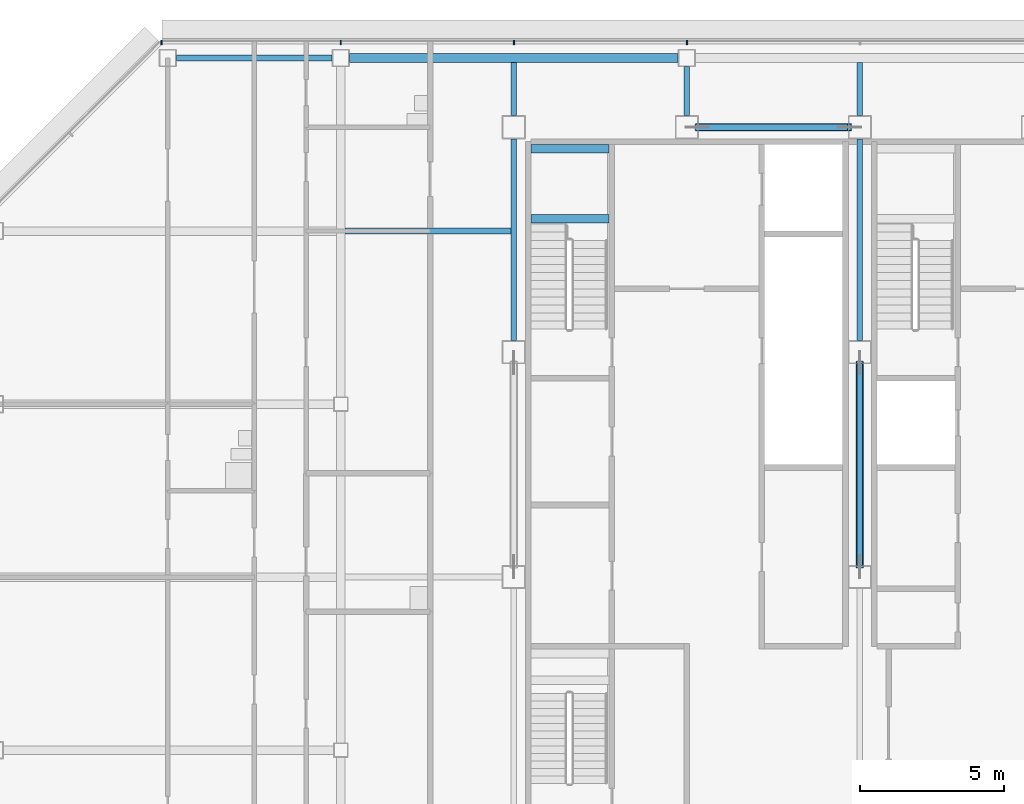
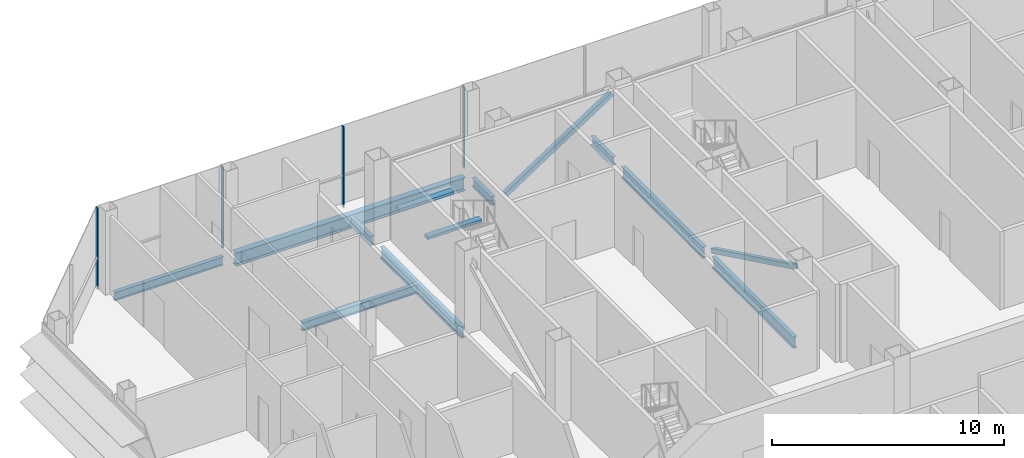
# One storey, part 13 of 29: 11 beams, 6 members, 1 element without a shape of its own.
"""IFC4 building model written with IfcOpenShell, lengths in metres."""

import ifcopenshell
import ifcopenshell.guid

model = None  # the IFC model being written
_history = None  # IfcOwnerHistory: only IFC2X3 demands one
_inside = {}  # id of a spatial element -> (the spatial element, [elements in it])
_under = {}  # id of a project, library or spatial element -> (it, [spatial elements below it])
_declared = {}  # id of a project -> (the project, [libraries it declares])
_typed = {}  # id of a type object -> (the type object, [elements of that type])
_made_of = {}  # id of a material, layer set ... -> (it, [elements and type objects made of it])


def new_model(schema):
    """Start an empty IFC model of exactly this schema.

    Asked for "IFC4X3", IfcOpenShell would pick the latest addendum, in which some entities
    have other attributes; the version numbers below select the first issue.
    IFC2X3 requires an IfcOwnerHistory on every rooted entity: one is made here for all.
    """
    global model, _history
    if schema == "IFC4X3":
        model = ifcopenshell.file(schema_version=(4, 3, 0, 0))
    else:
        model = ifcopenshell.file(schema=schema)
    _inside.clear()
    _under.clear()
    _declared.clear()
    _typed.clear()
    _made_of.clear()
    _history = None
    if model.schema == "IFC2X3":
        org = make("IfcOrganization", Name="unknown")
        user = make(
            "IfcPersonAndOrganization",
            ThePerson=make("IfcPerson", FamilyName="unknown"),
            TheOrganization=org,
        )
        app = make(
            "IfcApplication",
            ApplicationDeveloper=org,
            Version="unknown",
            ApplicationFullName="unknown",
            ApplicationIdentifier="unknown",
        )
        _history = make(
            "IfcOwnerHistory",
            OwningUser=user,
            OwningApplication=app,
            ChangeAction="ADDED",
            CreationDate=0,
        )
    return model


def make(cls, **values):
    """One entity of the class cls with the attributes given. An attribute that is None is left unset."""
    return model.create_entity(
        cls, **{name: value for name, value in values.items() if value is not None}
    )


def rooted(cls, **values):
    """An entity with a GlobalId (a new one), such as an element, a storey or a relation."""
    return make(cls, GlobalId=ifcopenshell.guid.new(), OwnerHistory=_history, **values)


def si_unit(unit_type, name, prefix=None):
    """IfcSIUnit, for example si_unit("LENGTHUNIT", "METRE", prefix="MILLI")."""
    return make("IfcSIUnit", UnitType=unit_type, Prefix=prefix, Name=name)


def assignment(units):
    """IfcUnitAssignment: the units of a project."""
    return None if units is None else make("IfcUnitAssignment", Units=units)


def point(xyz):
    """IfcCartesianPoint."""
    return None if xyz is None else make("IfcCartesianPoint", Coordinates=xyz)


def direction(xyz):
    """IfcDirection."""
    return None if xyz is None else make("IfcDirection", DirectionRatios=xyz)


def frame(location, z_axis=None, x_axis=None):
    """IfcAxis2Placement3D, a coordinate frame: its origin and axes. An axis left out is left unset."""
    return make(
        "IfcAxis2Placement3D",
        Location=point(location),
        Axis=direction(z_axis),
        RefDirection=direction(x_axis),
    )


def frame_2d(location, x_axis=None):
    """IfcAxis2Placement2D, a coordinate frame in the plane: its origin and x axis."""
    return make(
        "IfcAxis2Placement2D", Location=point(location), RefDirection=direction(x_axis)
    )


def origin():
    """The frame at (0, 0, 0) with its axes left unset."""
    return frame((0.0, 0.0, 0.0))


def origin_2d():
    """The frame at (0, 0) in the plane with its x axis left unset."""
    return frame_2d((0.0, 0.0))


def place(relative_to, where):
    """IfcLocalPlacement: puts the frame where relative to a parent placement (None: the world)."""
    return make(
        "IfcLocalPlacement", PlacementRelTo=relative_to, RelativePlacement=where
    )


def context(
    kind, dimensions, precision=None, world=None, true_north=None, identifier=None
):
    """IfcGeometricRepresentationContext, for example the 3D "Model" context."""
    return make(
        "IfcGeometricRepresentationContext",
        ContextIdentifier=identifier,
        ContextType=kind,
        CoordinateSpaceDimension=dimensions,
        Precision=precision,
        WorldCoordinateSystem=world,
        TrueNorth=true_north,
    )


def subcontext(parent, identifier, kind, view, scale=None):
    """IfcGeometricRepresentationSubContext, for example "Body" below "Model"."""
    return make(
        "IfcGeometricRepresentationSubContext",
        ContextIdentifier=identifier,
        ContextType=kind,
        ParentContext=parent,
        TargetScale=scale,
        TargetView=view,
    )


def project(units=None, contexts=None):
    """IfcProject with its units and contexts."""
    return rooted(
        "IfcProject",
        Name="project",
        RepresentationContexts=contexts,
        UnitsInContext=assignment(units),
    )


def spatial(cls, under=None, at=None, **own):
    """A site, building, storey or space (cls), placed at a placement, below another one or the project."""
    s = rooted(cls, ObjectPlacement=at, **own)
    if under is not None:
        _under.setdefault(under.id(), (under, []))[1].append(s)
    return s


def profile(cls, at=None, kind="AREA", **sizes):
    """A parametric profile (cls). Its sizes go by their IFC names, for example OverallWidth=200.0."""
    return make(cls, ProfileType=kind, Position=at, **sizes)


def rectangle(**sizes):
    """IfcRectangleProfileDef."""
    return profile("IfcRectangleProfileDef", **sizes)


def hollow_rectangle(**sizes):
    """IfcRectangleHollowProfileDef."""
    return profile("IfcRectangleHollowProfileDef", **sizes)


def i_section(**sizes):
    """IfcIShapeProfileDef."""
    return profile("IfcIShapeProfileDef", **sizes)


def extrude(swept, where, along, depth):
    """IfcExtrudedAreaSolid: the profile swept, set in the frame where, extruded along a direction by depth."""
    return make(
        "IfcExtrudedAreaSolid",
        SweptArea=swept,
        Position=where,
        ExtrudedDirection=direction(along),
        Depth=depth,
    )


def shape(context_of_items, identifier, shape_type, items):
    """IfcShapeRepresentation: the items that make up one representation, for example the "Body"."""
    return make(
        "IfcShapeRepresentation",
        ContextOfItems=context_of_items,
        RepresentationIdentifier=identifier,
        RepresentationType=shape_type,
        Items=items,
    )


def material(Name=None, Category=None):
    """IfcMaterial."""
    return make("IfcMaterial", Name=Name, Category=Category)


def material_profile(
    of_material, cross_section, Name=None, Category=None, Priority=None
):
    """IfcMaterialProfile: a cross section and its material."""
    return make(
        "IfcMaterialProfile",
        Name=Name,
        Material=of_material,
        Profile=cross_section,
        Priority=Priority,
        Category=Category,
    )


def profile_set(profiles, Name=None, composite=None):
    """IfcMaterialProfileSet."""
    return make(
        "IfcMaterialProfileSet",
        Name=Name,
        MaterialProfiles=profiles,
        CompositeProfile=composite,
    )


def made_of(thing, what):
    """Note that an element or type object is made of a material, layer set ...; save() writes the relation."""
    if what is not None:
        _made_of.setdefault(what.id(), (what, []))[1].append(thing)
    return thing


def type_object(cls, material=None, **own):
    """A type object (cls), such as IfcWallType, which elements share."""
    return made_of(rooted(cls, **own), material)


def element(
    cls,
    number,
    at=None,
    inside=None,
    cuts=None,
    type_object=None,
    material=None,
    context=None,
    identifier="Body",
    shape_type=None,
    held_by="IfcProductDefinitionShape",
    body=None,
    shapes=None,
    **own,
):
    """One element of the class cls, such as IfcWall. Its Tag is "e" and its number.

    at: its placement. inside: the storey or other place that contains it. cuts: it is an
    opening in that element (IfcRelVoidsElement). A single representation is given by context,
    identifier, shape_type and body (its items); several are given by shapes. held_by: the class
    of the entity that holds the representations. save() writes the other relations.
    """
    e = rooted(cls, Tag="e%d" % number, ObjectPlacement=at, **own)
    if body is not None:
        shapes = [shape(context, identifier, shape_type, body)]
    if shapes is not None:
        e.Representation = make(held_by, Representations=shapes)
    if inside is not None:
        _inside.setdefault(inside.id(), (inside, []))[1].append(e)
    if cuts is not None:
        rooted(
            "IfcRelVoidsElement", RelatingBuildingElement=cuts, RelatedOpeningElement=e
        )
    if type_object is not None:
        _typed.setdefault(type_object.id(), (type_object, []))[1].append(e)
    return made_of(e, material)


def aggregate(whole, parts):
    """IfcRelAggregates: a whole, such as a stair, and the parts it consists of."""
    return rooted("IfcRelAggregates", RelatingObject=whole, RelatedObjects=parts)


def save(model, path):
    """Write the relations noted so far, then the file.

    IfcRelAggregates (storeys below a building ...), IfcRelContainedInSpatialStructure (elements
    in a storey), IfcRelDefinesByType, IfcRelAssociatesMaterial and IfcRelDeclares: one each for
    every whole, place, type object, material and project.
    """
    for whole, parts in _under.values():
        aggregate(whole, parts)
    for where, things in _inside.values():
        rooted(
            "IfcRelContainedInSpatialStructure",
            RelatedElements=things,
            RelatingStructure=where,
        )
    for kind, things in _typed.values():
        rooted("IfcRelDefinesByType", RelatedObjects=things, RelatingType=kind)
    for what, things in _made_of.values():
        rooted("IfcRelAssociatesMaterial", RelatedObjects=things, RelatingMaterial=what)
    for by, libraries in _declared.values():
        rooted("IfcRelDeclares", RelatingContext=by, RelatedDefinitions=libraries)
    model.write(path)


model = new_model("IFC4")

# Units and contexts
model_context = context("Model", 3, precision=1e-05, world=origin(), true_north=direction((0.0, 1.0)))
body_context = subcontext(model_context, "Body", "Model", "MODEL_VIEW")
ifc_project = project(units=[si_unit("LENGTHUNIT", "METRE"), si_unit("AREAUNIT", "SQUARE_METRE"), si_unit("VOLUMEUNIT", "CUBIC_METRE"), si_unit("PLANEANGLEUNIT", "RADIAN"), si_unit("MASSUNIT", "GRAM", prefix="KILO")], contexts=[model_context])

# Site, building, storey
site_placement = place(None, origin())
site = spatial("IfcSite", under=ifc_project, at=site_placement, CompositionType="ELEMENT")
building_placement = place(site_placement, origin())
building = spatial("IfcBuilding", under=site, at=building_placement, Name="Sorahane Residences", CompositionType="ELEMENT")
storey_placement = place(building_placement, frame((0.0, 0.0, 277.39990234375)))
storey = spatial("IfcBuildingStorey", under=building, at=storey_placement, Name="L66", CompositionType="ELEMENT", Elevation=277.39990234375)

# Members
ifc_material_1 = material(Name="Steel Q355B", Category="steel")
ifc_material_profile_1 = material_profile(ifc_material_1, hollow_rectangle(XDim=0.25, YDim=0.25, WallThickness=0.013916015625, InnerFilletRadius=0.007080078125, OuterFilletRadius=0.02099609375, at=origin_2d()), Name="RHS 250x250x14")
ifc_profile_set_1 = profile_set([ifc_material_profile_1], Name="Steel Q355B")
member_type_1 = type_object("IfcMemberType", Name="Core brace RHS 250x250x14 Q355B", PredefinedType="BRACE", material=ifc_profile_set_1)
member_1_placement = place(storey_placement, frame((12.35888671875, 45.60009765625, 0.09814453125), z_axis=(0.836962799145, 0.0, 0.54725978552), x_axis=(0.0, 1.0, 0.0)))
element("IfcMember", 1, at=member_1_placement, inside=storey, type_object=member_type_1, Name="Core brace L66 y45.6-2", PredefinedType="BRACE", context=body_context, shape_type="SweptSolid", body=[
    extrude(hollow_rectangle(XDim=0.25, YDim=0.25, WallThickness=0.013916015625, InnerFilletRadius=0.007080078125, OuterFilletRadius=0.02099609375, at=origin_2d()), origin(), (0.0, 0.0, 1.0), 6.311279296875),
])
member_2_placement = place(storey_placement, frame((18.0, 37.432861328125, 0.109130859375), z_axis=(0.0, -0.899508856558, 0.436902525712), x_axis=(1.0, 0.0, 0.0)))
element("IfcMember", 2, at=member_2_placement, inside=storey, type_object=member_type_1, Name="Core brace L66 x18-1", PredefinedType="BRACE", context=body_context, shape_type="SweptSolid", body=[
    extrude(hollow_rectangle(XDim=0.25, YDim=0.25, WallThickness=0.013916015625, InnerFilletRadius=0.007080078125, OuterFilletRadius=0.02099609375, at=origin_2d()), origin(), (0.0, 0.0, 1.0), 7.85498046875),
])

# Curtain wall, members
ifc_material_2 = material(Name="Dark low-e glass and black anodised aluminium", Category="aluminium")
curtain_wall_type = type_object("IfcCurtainWallType", Name="Curtain wall CW-1 Typical unitised wall", PredefinedType="NOTDEFINED", material=ifc_material_2)
curtain_wall_placement = place(storey_placement, origin())
curtain_wall = element("IfcCurtainWall", 3, at=curtain_wall_placement, inside=storey, type_object=curtain_wall_type, Name="CW-1 curtain wall L66 N1", PredefinedType="NOTDEFINED")
ifc_material_3 = material(Name="Black anodised aluminium", Category="aluminium")
ifc_material_profile_2 = material_profile(ifc_material_3, rectangle(XDim=0.159912109375, YDim=0.050048828125, at=origin_2d()), Name="Curtain wall mullion CW-1 black anodised aluminium 50x160")
ifc_profile_set_2 = profile_set([ifc_material_profile_2], Name="Black anodised aluminium")
member_type_2 = type_object("IfcMemberType", Name="Curtain wall mullion CW-1 black anodised aluminium 50x160", PredefinedType="MULLION", material=ifc_profile_set_2)
member_3_placement = place(storey_placement, frame((12.0, 48.5400390625, -0.179931640625), z_axis=(0.0, 0.0, 1.0), x_axis=(0.0, 1.0, 0.0)))
member_3 = element("IfcMember", 4, at=member_3_placement, type_object=member_type_2, Name="CW-1 mullion L66 N1.7", PredefinedType="MULLION", context=body_context, shape_type="SweptSolid", body=[
    extrude(rectangle(XDim=0.159912109375, YDim=0.050048828125, at=origin_2d()), origin(), (0.0, 0.0, 1.0), 4.280029296875),
])
member_4_placement = place(storey_placement, frame((6.0, 48.5400390625, -0.179931640625), z_axis=(0.0, 0.0, 1.0), x_axis=(0.0, 1.0, 0.0)))
member_4 = element("IfcMember", 5, at=member_4_placement, type_object=member_type_2, Name="CW-1 mullion L66 N1.8", PredefinedType="MULLION", context=body_context, shape_type="SweptSolid", body=[
    extrude(rectangle(XDim=0.159912109375, YDim=0.050048828125, at=origin_2d()), origin(), (0.0, 0.0, 1.0), 4.280029296875),
])
member_5_placement = place(storey_placement, frame((0.0, 48.5400390625, -0.179931640625), z_axis=(0.0, 0.0, 1.0), x_axis=(0.0, 1.0, 0.0)))
member_5 = element("IfcMember", 6, at=member_5_placement, type_object=member_type_2, Name="CW-1 mullion L66 N1.9", PredefinedType="MULLION", context=body_context, shape_type="SweptSolid", body=[
    extrude(rectangle(XDim=0.159912109375, YDim=0.050048828125, at=origin_2d()), origin(), (0.0, 0.0, 1.0), 4.280029296875),
])
member_6_placement = place(storey_placement, frame((-6.2236328125, 48.5400390625, -0.179931640625), z_axis=(0.0, 0.0, 1.0), x_axis=(0.0, 1.0, 0.0)))
member_6 = element("IfcMember", 7, at=member_6_placement, type_object=member_type_2, Name="CW-1 mullion L66 N1.10", PredefinedType="MULLION", context=body_context, shape_type="SweptSolid", body=[
    extrude(rectangle(XDim=0.159912109375, YDim=0.050048828125, at=origin_2d()), origin(), (0.0, 0.0, 1.0), 4.280029296875),
])
aggregate(curtain_wall, [member_3, member_4, member_5, member_6])

# Beams
ifc_material_4 = material(Name="Concrete C40", Category="concrete")
ifc_material_profile_3 = material_profile(ifc_material_4, rectangle(XDim=0.300048828125, YDim=0.139892578125, at=origin_2d()), Name="300x140")
ifc_profile_set_3 = profile_set([ifc_material_profile_3], Name="Concrete C40")
beam_type_1 = type_object("IfcBeamType", Name="RC landing beam 300 x 140 Concrete C40", PredefinedType="BEAM", material=ifc_profile_set_3)
for number, where, z_axis, x_axis, name in (
    (8, (6.60009765625, 42.429931640625, 1.760986328125), (1.0, 0.0, 0.0), (0.0, 1.0, 0.0), "Landing beam"),
    (9, (6.60009765625, 44.85009765625, 1.760986328125), (1.0, 0.0, 0.0), (0.0, 1.0, 0.0), "Landing beam"),
):
    element("IfcBeam", number, at=place(storey_placement, frame(where, z_axis=z_axis, x_axis=x_axis)), inside=storey, type_object=beam_type_1, Name=name, PredefinedType="BEAM", context=body_context, shape_type="SweptSolid", body=[
        extrude(rectangle(XDim=0.300048828125, YDim=0.139892578125, at=origin_2d()), origin(), (0.0, 0.0, 1.0), 2.699951171875),
    ])
ifc_material_5 = material(Name="Steel Q355B", Category="steel")
ifc_material_profile_4 = material_profile(ifc_material_5, i_section(OverallWidth=0.199951171875, OverallDepth=0.449951171875, WebThickness=0.009033203125, FlangeThickness=0.013916015625, FilletRadius=0.02001953125, at=origin_2d()), Name="HN 450x200x9x14")
ifc_profile_set_4 = profile_set([ifc_material_profile_4], Name="Steel Q355B")
beam_type_2 = type_object("IfcBeamType", Name="Steel floor beam HN 450x200x9x14 Q355B", PredefinedType="BEAM", material=ifc_profile_set_4)
beam_1_placement = place(storey_placement, frame((-5.699951171875, 48.0, -0.40478515625), z_axis=(1.0, 0.0, 0.0), x_axis=(0.0, 1.0, 0.0)))
element("IfcBeam", 10, at=beam_1_placement, inside=storey, type_object=beam_type_2, Name="Beam L66 015", PredefinedType="BEAM", context=body_context, shape_type="SweptSolid", body=[
    extrude(i_section(OverallWidth=0.199951171875, OverallDepth=0.449951171875, WebThickness=0.009033203125, FlangeThickness=0.013916015625, FilletRadius=0.02001953125, at=origin_2d()), origin(), (0.0, 0.0, 1.0), 5.39990234375),
])
beam_2_placement = place(storey_placement, frame((6.0, 46.0, -0.40478515625), z_axis=(0.0, 1.0, 0.0), x_axis=(-1.0, 0.0, 0.0)))
element("IfcBeam", 11, at=beam_2_placement, inside=storey, type_object=beam_type_2, Name="Beam L66 033", PredefinedType="BEAM", context=body_context, shape_type="SweptSolid", body=[
    extrude(i_section(OverallWidth=0.199951171875, OverallDepth=0.449951171875, WebThickness=0.009033203125, FlangeThickness=0.013916015625, FilletRadius=0.02001953125, at=origin_2d()), origin(), (0.0, 0.0, 1.0), 1.85009765625),
])
beam_3_placement = place(storey_placement, frame((12.0, 46.0, -0.40478515625), z_axis=(0.0, 1.0, 0.0), x_axis=(-1.0, 0.0, 0.0)))
element("IfcBeam", 12, at=beam_3_placement, inside=storey, type_object=beam_type_2, Name="Beam L66 035", PredefinedType="BEAM", context=body_context, shape_type="SweptSolid", body=[
    extrude(i_section(OverallWidth=0.199951171875, OverallDepth=0.449951171875, WebThickness=0.009033203125, FlangeThickness=0.013916015625, FilletRadius=0.02001953125, at=origin_2d()), origin(), (0.0, 0.0, 1.0), 1.699951171875),
])
beam_4_placement = place(storey_placement, frame((18.0, 46.0, -0.40478515625), z_axis=(0.0, 1.0, 0.0), x_axis=(-1.0, 0.0, 0.0)))
element("IfcBeam", 13, at=beam_4_placement, inside=storey, type_object=beam_type_2, Name="Beam L66 041", PredefinedType="BEAM", context=body_context, shape_type="SweptSolid", body=[
    extrude(i_section(OverallWidth=0.199951171875, OverallDepth=0.449951171875, WebThickness=0.009033203125, FlangeThickness=0.013916015625, FilletRadius=0.02001953125, at=origin_2d()), origin(), (0.0, 0.0, 1.0), 1.85009765625),
])
beam_5_placement = place(storey_placement, frame((0.14990234375, 42.0, -0.40478515625), z_axis=(1.0, 0.0, 0.0), x_axis=(0.0, 1.0, 0.0)))
element("IfcBeam", 14, at=beam_5_placement, inside=storey, type_object=beam_type_2, Name="Beam L66 090", PredefinedType="BEAM", context=body_context, shape_type="SweptSolid", body=[
    extrude(i_section(OverallWidth=0.199951171875, OverallDepth=0.449951171875, WebThickness=0.009033203125, FlangeThickness=0.013916015625, FilletRadius=0.02001953125, at=origin_2d()), origin(), (0.0, 0.0, 1.0), 5.75),
])
ifc_material_6 = material(Name="Steel Q355B", Category="steel")
ifc_material_profile_5 = material_profile(ifc_material_6, i_section(OverallWidth=0.199951171875, OverallDepth=0.60009765625, WebThickness=0.010986328125, FlangeThickness=0.01708984375, FilletRadius=0.02392578125, at=origin_2d()), Name="HN 600x200x11x17")
ifc_profile_set_5 = profile_set([ifc_material_profile_5], Name="Steel Q355B")
beam_type_3 = type_object("IfcBeamType", Name="Steel floor beam HN 600x200x11x17 Q355B", PredefinedType="BEAM", material=ifc_profile_set_5)
for number, where, z_axis, x_axis, name in (
    (15, (6.0, 38.199951171875, -0.47998046875), (0.0, 1.0, 0.0), (-1.0, 0.0, 0.0), "Beam L66 032"),
    (16, (18.0, 30.39990234375, -0.47998046875), (0.0, 1.0, 0.0), (-1.0, 0.0, 0.0), "Beam L66 039"),
    (17, (18.0, 38.199951171875, -0.47998046875), (0.0, 1.0, 0.0), (-1.0, 0.0, 0.0), "Beam L66 040"),
):
    element("IfcBeam", number, at=place(storey_placement, frame(where, z_axis=z_axis, x_axis=x_axis)), inside=storey, type_object=beam_type_3, Name=name, PredefinedType="BEAM", context=body_context, shape_type="SweptSolid", body=[
        extrude(i_section(OverallWidth=0.199951171875, OverallDepth=0.60009765625, WebThickness=0.010986328125, FlangeThickness=0.01708984375, FilletRadius=0.02392578125, at=origin_2d()), origin(), (0.0, 0.0, 1.0), 7.0),
    ])
ifc_material_7 = material(Name="Steel Q355B", Category="steel")
ifc_material_profile_6 = material_profile(ifc_material_7, i_section(OverallWidth=0.300048828125, OverallDepth=0.699951171875, WebThickness=0.012939453125, FlangeThickness=0.02392578125, FilletRadius=0.028076171875, at=origin_2d()), Name="HN 700x300x13x24")
ifc_profile_set_6 = profile_set([ifc_material_profile_6], Name="Steel Q355B")
beam_type_4 = type_object("IfcBeamType", Name="Steel floor beam HN 700x300x13x24 Q355B", PredefinedType="BEAM", material=ifc_profile_set_6)
beam_6_placement = place(storey_placement, frame((0.300048828125, 48.0, -0.52978515625), z_axis=(1.0, 0.0, 0.0), x_axis=(0.0, 1.0, 0.0)))
element("IfcBeam", 18, at=beam_6_placement, inside=storey, type_object=beam_type_4, Name="Beam L66 016", PredefinedType="BEAM", context=body_context, shape_type="SweptSolid", body=[
    extrude(i_section(OverallWidth=0.300048828125, OverallDepth=0.699951171875, WebThickness=0.012939453125, FlangeThickness=0.02392578125, FilletRadius=0.028076171875, at=origin_2d()), origin(), (0.0, 0.0, 1.0), 11.39990234375),
])

save(model, "model.ifc")
